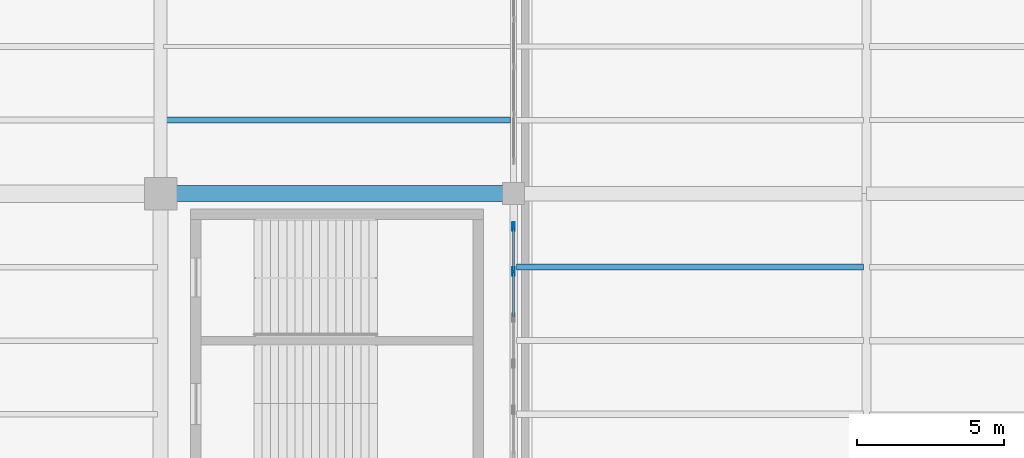
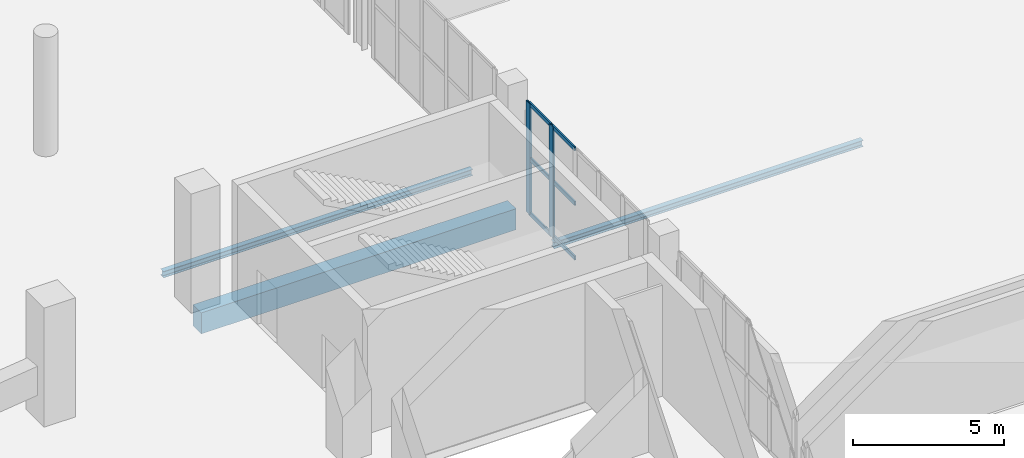
# One storey, part 71 of 136: 8 members, 3 beams, 1 element without a shape of its own.
"""IFC4 building model written with IfcOpenShell, lengths in metres."""

from ifc_helpers import new_model, si_unit, direction, frame, origin, origin_2d, place, context, subcontext, project, spatial, rectangle, hollow_rectangle, i_section, extrude, material, layer, layer_set, material_profile, profile_set, type_object, element, aggregate, save


model = new_model("IFC4")

# Units and contexts
model_context = context("Model", 3, precision=1e-05, world=origin(), true_north=direction((0.0, 1.0)))
body_context = subcontext(model_context, "Body", "Model", "MODEL_VIEW")
ifc_project = project(units=[si_unit("LENGTHUNIT", "METRE"), si_unit("AREAUNIT", "SQUARE_METRE"), si_unit("VOLUMEUNIT", "CUBIC_METRE"), si_unit("PLANEANGLEUNIT", "RADIAN"), si_unit("MASSUNIT", "GRAM", prefix="KILO")], contexts=[model_context])

# Site, building, storey
site_placement = place(None, origin())
site = spatial("IfcSite", under=ifc_project, at=site_placement, CompositionType="ELEMENT")
building_placement = place(site_placement, origin())
building = spatial("IfcBuilding", under=site, at=building_placement, Name="Brinegate Civic Arena", CompositionType="ELEMENT")
storey_placement = place(building_placement, frame((0.0, 0.0, 5.39990234375)))
storey = spatial("IfcBuildingStorey", under=building, at=storey_placement, Name="L01", CompositionType="ELEMENT", Elevation=5.39990234375)

# Curtain wall, members
ifc_material_1 = material(Name="Marine grade aluminium", Category="aluminium")
ifc_layer = layer(ifc_material_1, 0.199951171875, Name="Marine grade aluminium")
ifc_layer_set = layer_set([ifc_layer], Name="Marine grade aluminium")
curtain_wall_type = type_object("IfcCurtainWallType", Name="CW-BOWL-GLAZED-01", PredefinedType="USERDEFINED", material=ifc_layer_set)
curtain_wall_placement = place(storey_placement, origin())
curtain_wall = element("IfcCurtainWall", 1, at=curtain_wall_placement, inside=storey, type_object=curtain_wall_type, Name="Curtain Wall CWA-049", ObjectType="GLAZED CURTAIN WALL", PredefinedType="USERDEFINED")
ifc_material_profile_1 = material_profile(ifc_material_1, hollow_rectangle(XDim=0.080078125, YDim=0.280029296875, WallThickness=0.007080078125, InnerFilletRadius=0.0048828125, OuterFilletRadius=0.010009765625, at=origin_2d()), Name="MUL80X280")
ifc_profile_set_1 = profile_set([ifc_material_profile_1], Name="Marine grade aluminium")
member_type_1 = type_object("IfcMemberType", Name="CW-MULLION-80X280", PredefinedType="MULLION", material=ifc_profile_set_1)
member_1_placement = place(storey_placement, frame((168.0, 49.35205078125, 0.0), z_axis=(0.0, 0.0, 1.0), x_axis=(-1.0, 0.0, 0.0)))
member_1 = element("IfcMember", 2, at=member_1_placement, type_object=member_type_1, Name="CWA-049 mullion 5", PredefinedType="MULLION", context=body_context, shape_type="SweptSolid", body=[
    extrude(hollow_rectangle(XDim=0.080078125, YDim=0.280029296875, WallThickness=0.007080078125, InnerFilletRadius=0.0048828125, OuterFilletRadius=0.010009765625, at=origin_2d()), origin(), (0.0, 0.0, 1.0), 4.47021484375),
])
member_2_placement = place(storey_placement, frame((168.0, 50.8798828125, 0.0), z_axis=(0.0, 0.0, 1.0), x_axis=(-1.0, 0.0, 0.0)))
member_2 = element("IfcMember", 3, at=member_2_placement, type_object=member_type_1, Name="CWA-049 mullion 6", PredefinedType="MULLION", context=body_context, shape_type="SweptSolid", body=[
    extrude(hollow_rectangle(XDim=0.080078125, YDim=0.280029296875, WallThickness=0.007080078125, InnerFilletRadius=0.0048828125, OuterFilletRadius=0.010009765625, at=origin_2d()), origin(), (0.0, 0.0, 1.0), 4.47021484375),
])
ifc_material_profile_2 = material_profile(ifc_material_1, hollow_rectangle(XDim=0.06494140625, YDim=0.1650390625, WallThickness=0.0048828125, InnerFilletRadius=0.00390625, OuterFilletRadius=0.008056640625, at=origin_2d()), Name="TRN65X165")
ifc_profile_set_2 = profile_set([ifc_material_profile_2], Name="Marine grade aluminium")
member_type_2 = type_object("IfcMemberType", Name="CW-TRANSOM-65X165", PredefinedType="USERDEFINED", material=ifc_profile_set_2)
member_3_placement = place(storey_placement, frame((168.0, 47.823974609375, 0.03271484375), z_axis=(0.0, 1.0, 0.0), x_axis=(-1.0, 0.0, 0.0)))
member_3 = element("IfcMember", 4, at=member_3_placement, type_object=member_type_2, Name="CWA-049 transom 4.1", ObjectType="TRANSOM", PredefinedType="USERDEFINED", context=body_context, shape_type="SweptSolid", body=[
    extrude(hollow_rectangle(XDim=0.06494140625, YDim=0.1650390625, WallThickness=0.0048828125, InnerFilletRadius=0.00390625, OuterFilletRadius=0.008056640625, at=origin_2d()), origin(), (0.0, 0.0, 1.0), 1.488037109375),
])
member_4_placement = place(storey_placement, frame((168.0, 47.823974609375, 2.235107421875), z_axis=(0.0, 1.0, 0.0), x_axis=(-1.0, 0.0, 0.0)))
member_4 = element("IfcMember", 5, at=member_4_placement, type_object=member_type_2, Name="CWA-049 transom 4.2", ObjectType="TRANSOM", PredefinedType="USERDEFINED", context=body_context, shape_type="SweptSolid", body=[
    extrude(hollow_rectangle(XDim=0.06494140625, YDim=0.1650390625, WallThickness=0.0048828125, InnerFilletRadius=0.00390625, OuterFilletRadius=0.008056640625, at=origin_2d()), origin(), (0.0, 0.0, 1.0), 1.488037109375),
])
member_5_placement = place(storey_placement, frame((168.0, 47.823974609375, 4.4375), z_axis=(0.0, 1.0, 0.0), x_axis=(-1.0, 0.0, 0.0)))
member_5 = element("IfcMember", 6, at=member_5_placement, type_object=member_type_2, Name="CWA-049 transom 4.3", ObjectType="TRANSOM", PredefinedType="USERDEFINED", context=body_context, shape_type="SweptSolid", body=[
    extrude(hollow_rectangle(XDim=0.06494140625, YDim=0.1650390625, WallThickness=0.0048828125, InnerFilletRadius=0.00390625, OuterFilletRadius=0.008056640625, at=origin_2d()), origin(), (0.0, 0.0, 1.0), 1.488037109375),
])
member_6_placement = place(storey_placement, frame((168.0, 49.39208984375, 0.03271484375), z_axis=(0.0, 1.0, 0.0), x_axis=(-1.0, 0.0, 0.0)))
member_6 = element("IfcMember", 7, at=member_6_placement, type_object=member_type_2, Name="CWA-049 transom 5.1", ObjectType="TRANSOM", PredefinedType="USERDEFINED", context=body_context, shape_type="SweptSolid", body=[
    extrude(hollow_rectangle(XDim=0.06494140625, YDim=0.1650390625, WallThickness=0.0048828125, InnerFilletRadius=0.00390625, OuterFilletRadius=0.008056640625, at=origin_2d()), origin(), (0.0, 0.0, 1.0), 1.447998046875),
])
member_7_placement = place(storey_placement, frame((168.0, 49.39208984375, 2.235107421875), z_axis=(0.0, 1.0, 0.0), x_axis=(-1.0, 0.0, 0.0)))
member_7 = element("IfcMember", 8, at=member_7_placement, type_object=member_type_2, Name="CWA-049 transom 5.2", ObjectType="TRANSOM", PredefinedType="USERDEFINED", context=body_context, shape_type="SweptSolid", body=[
    extrude(hollow_rectangle(XDim=0.06494140625, YDim=0.1650390625, WallThickness=0.0048828125, InnerFilletRadius=0.00390625, OuterFilletRadius=0.008056640625, at=origin_2d()), origin(), (0.0, 0.0, 1.0), 1.447998046875),
])
member_8_placement = place(storey_placement, frame((168.0, 49.39208984375, 4.4375), z_axis=(0.0, 1.0, 0.0), x_axis=(-1.0, 0.0, 0.0)))
member_8 = element("IfcMember", 9, at=member_8_placement, type_object=member_type_2, Name="CWA-049 transom 5.3", ObjectType="TRANSOM", PredefinedType="USERDEFINED", context=body_context, shape_type="SweptSolid", body=[
    extrude(hollow_rectangle(XDim=0.06494140625, YDim=0.1650390625, WallThickness=0.0048828125, InnerFilletRadius=0.00390625, OuterFilletRadius=0.008056640625, at=origin_2d()), origin(), (0.0, 0.0, 1.0), 1.447998046875),
])
aggregate(curtain_wall, [member_1, member_2, member_3, member_4, member_5, member_6, member_7, member_8])

# Beams
ifc_material_2 = material(Name="Steel S355", Category="steel")
ifc_material_profile_3 = material_profile(ifc_material_2, i_section(OverallWidth=0.202880859375, OverallDepth=0.251953125, WebThickness=0.008056640625, FlangeThickness=0.013916015625, FilletRadius=0.011962890625, at=origin_2d()), Name="W250X58")
ifc_profile_set_3 = profile_set([ifc_material_profile_3], Name="Steel S355")
beam_type_1 = type_object("IfcBeamType", Name="JOIST-W250X58", PredefinedType="JOIST", material=ifc_profile_set_3)
for number, where, z_axis, x_axis, name in (
    (10, (156.10595703125, 54.5, -0.4658203125), (1.0, 0.0, 0.0), (0.0, 1.0, 0.0), "Secondary Joist BM-L01-JX-13-05-1"),
    (11, (168.10595703125, 49.5, -0.4658203125), (1.0, 0.0, 0.0), (0.0, 1.0, 0.0), "Secondary Joist BM-L01-JX-14-04-3"),
):
    element("IfcBeam", number, at=place(storey_placement, frame(where, z_axis=z_axis, x_axis=x_axis)), inside=storey, type_object=beam_type_1, Name=name, PredefinedType="JOIST", context=body_context, shape_type="SweptSolid", body=[
        extrude(i_section(OverallWidth=0.202880859375, OverallDepth=0.251953125, WebThickness=0.008056640625, FlangeThickness=0.013916015625, FilletRadius=0.011962890625, at=origin_2d()), origin(), (0.0, 0.0, 1.0), 11.7880859375),
    ])
ifc_material_3 = material(Name="Concrete C50/60", Category="concrete")
ifc_material_profile_4 = material_profile(ifc_material_3, rectangle(XDim=0.550048828125, YDim=0.85009765625, at=origin_2d()), Name="RCB550X850")
ifc_profile_set_4 = profile_set([ifc_material_profile_4], Name="Concrete C50/60")
beam_type_2 = type_object("IfcBeamType", Name="RCG-550X850", PredefinedType="BEAM", material=ifc_profile_set_4)
beam_placement = place(storey_placement, frame((156.0, 52.0, -0.764892578125), z_axis=(1.0, 0.0, 0.0), x_axis=(0.0, 1.0, 0.0)))
element("IfcBeam", 12, at=beam_placement, inside=storey, type_object=beam_type_2, Name="Floor Girder BM-L01-GX-13-05", PredefinedType="BEAM", context=body_context, shape_type="SweptSolid", body=[
    extrude(rectangle(XDim=0.550048828125, YDim=0.85009765625, at=origin_2d()), origin(), (0.0, 0.0, 1.0), 12.0),
])

save(model, "model.ifc")
